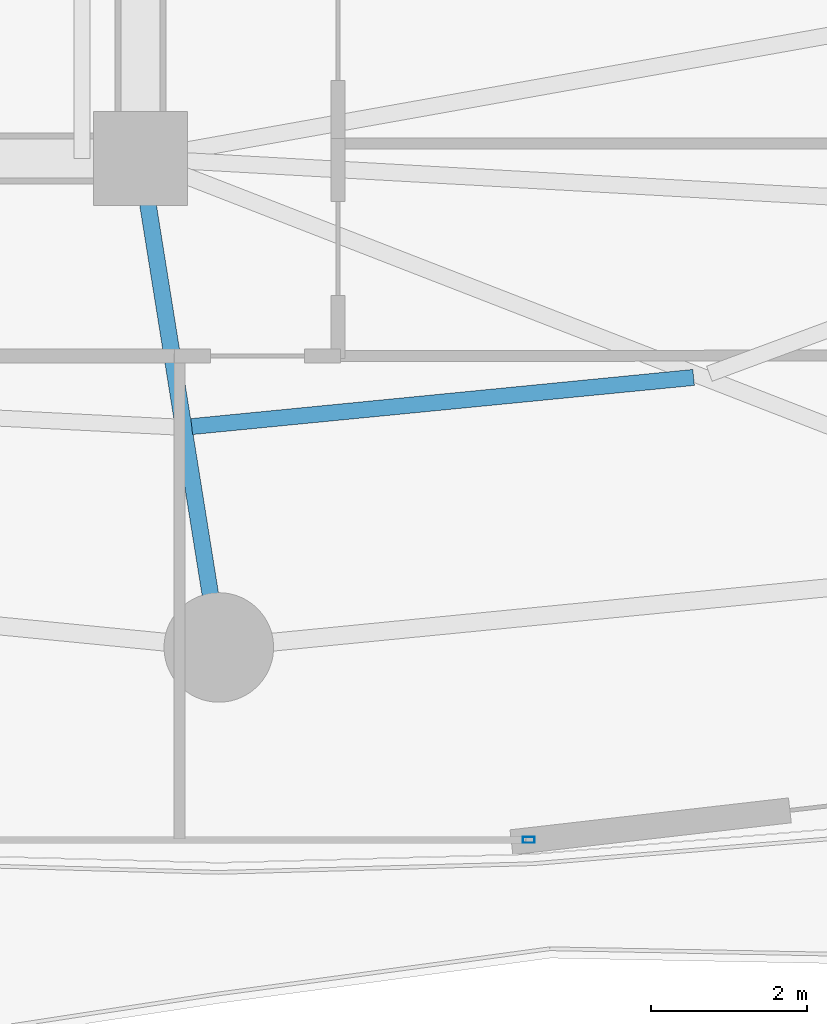
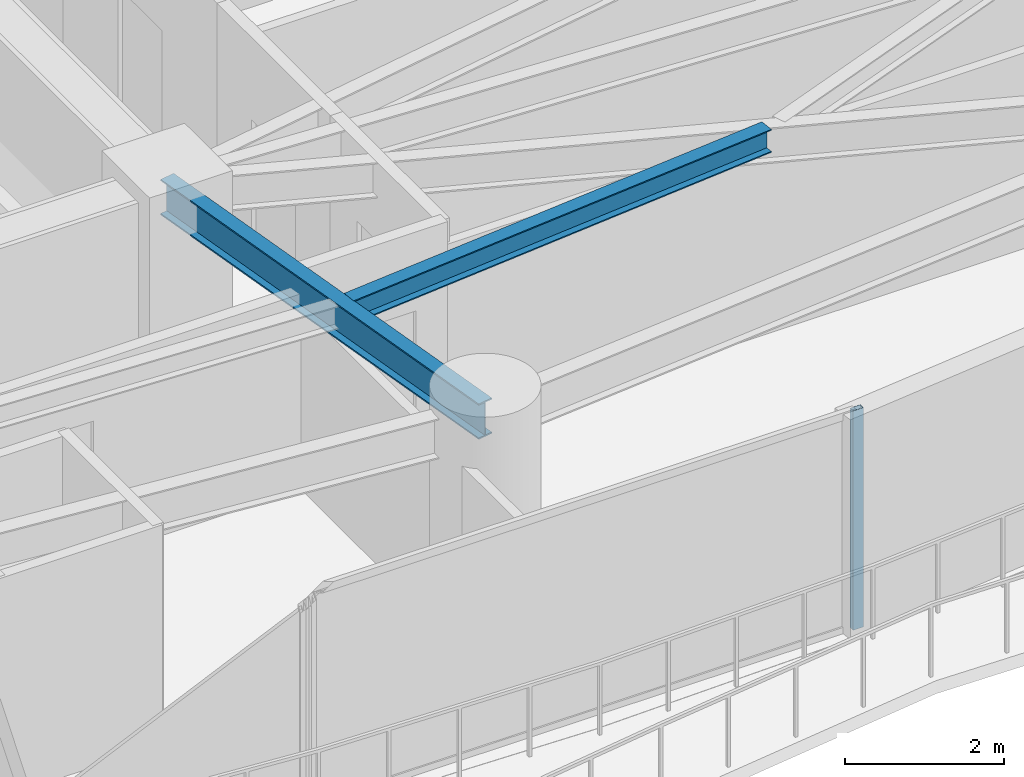
# One storey, part 10 of 32: 2 beams, 1 member, 1 element without a shape of its own.
"""IFC4 building model written with IfcOpenShell, lengths in metres."""

from ifc_helpers import new_model, si_unit, direction, frame, origin, origin_2d, place, context, subcontext, project, spatial, hollow_rectangle, i_section, extrude, material, layer, layer_set, material_profile, profile_set, type_object, element, aggregate, save


model = new_model("IFC4")

# Units and contexts
model_context = context("Model", 3, precision=1e-05, world=origin(), true_north=direction((0.0, 1.0)))
body_context = subcontext(model_context, "Body", "Model", "MODEL_VIEW")
ifc_project = project(units=[si_unit("LENGTHUNIT", "METRE"), si_unit("AREAUNIT", "SQUARE_METRE"), si_unit("VOLUMEUNIT", "CUBIC_METRE"), si_unit("PLANEANGLEUNIT", "RADIAN"), si_unit("MASSUNIT", "GRAM", prefix="KILO")], contexts=[model_context])

# Site, building, storey
site_placement = place(None, origin())
site = spatial("IfcSite", under=ifc_project, at=site_placement, CompositionType="ELEMENT")
building_placement = place(site_placement, origin())
building = spatial("IfcBuilding", under=site, at=building_placement, Name="Kazevale Care Tower and Concert Hall", CompositionType="ELEMENT")
storey_placement = place(building_placement, frame((0.0, 0.0, 42.0)))
storey = spatial("IfcBuildingStorey", under=building, at=storey_placement, Name="L10", CompositionType="ELEMENT", Elevation=42.0)

# Curtain wall, member
ifc_material_1 = material(Name="Aluminium 6063-T6 and Low-E Glass", Category="aluminium")
ifc_layer = layer(ifc_material_1, 0.179931640625)
ifc_layer_set = layer_set([ifc_layer], Name="Aluminium 6063-T6 and Low-E Glass")
curtain_wall_type = type_object("IfcCurtainWallType", Name="Sheltered Concave Balcony Curtain Wall CW-5", PredefinedType="NOTDEFINED", material=ifc_layer_set)
curtain_wall_placement = place(storey_placement, origin())
curtain_wall = element("IfcCurtainWall", 1, at=curtain_wall_placement, inside=storey, type_object=curtain_wall_type, Name="cw:L10:f06", PredefinedType="NOTDEFINED")
ifc_material_2 = material(Name="Aluminium 6063-T6", Category="aluminium")
ifc_material_profile_1 = material_profile(ifc_material_2, hollow_rectangle(XDim=0.074951171875, YDim=0.14990234375, WallThickness=0.00390625, at=origin_2d()), Name="ALU75x150x4")
ifc_profile_set_1 = profile_set([ifc_material_profile_1], Name="Aluminium 6063-T6")
member_type = type_object("IfcMemberType", Name="CW-5 Mullion ALU75x150x4", PredefinedType="MULLION", material=ifc_profile_set_1)
member_placement = place(storey_placement, frame((48.96044921875, 14.889892578125, 0.0), z_axis=(0.0, 0.0, 1.0), x_axis=(0.0, -1.0, 0.0)))
member = element("IfcMember", 2, at=member_placement, type_object=member_type, Name="CW-5 mullion 1", PredefinedType="MULLION", context=body_context, shape_type="SweptSolid", body=[
    extrude(hollow_rectangle(XDim=0.074951171875, YDim=0.14990234375, WallThickness=0.00390625, at=origin_2d()), origin(), (0.0, 0.0, 1.0), 3.360107421875),
])
aggregate(curtain_wall, [member])

# Beams
ifc_material_3 = material(Name="Steel ASTM A572 Gr 50", Category="steel")
ifc_material_profile_2 = material_profile(ifc_material_3, i_section(OverallWidth=0.2119140625, OverallDepth=0.5439453125, WebThickness=0.01318359375, FlangeThickness=0.021240234375, at=origin_2d()), Name="W530x123")
ifc_profile_set_2 = profile_set([ifc_material_profile_2], Name="Steel ASTM A572 Gr 50")
beam_type_1 = type_object("IfcBeamType", Name="Radial Floor Girder W530x123", PredefinedType="BEAM", material=ifc_profile_set_2)
beam_1_placement = place(storey_placement, frame((44.0, 23.60009765625, 3.087890625), z_axis=(0.157990501107, -0.987440631917, 0.0), x_axis=(0.987440631917, 0.157990501107, 0.0)))
element("IfcBeam", 3, at=beam_1_placement, inside=storey, type_object=beam_type_1, Name="beam:L10:rad:13", PredefinedType="BEAM", context=body_context, shape_type="SweptSolid", body=[
    extrude(i_section(OverallWidth=0.2119140625, OverallDepth=0.5439453125, WebThickness=0.01318359375, FlangeThickness=0.021240234375, at=origin_2d()), origin(), (0.0, 0.0, 1.0), 6.32958984375),
])
ifc_material_profile_3 = material_profile(ifc_material_3, i_section(OverallWidth=0.205078125, OverallDepth=0.35400390625, WebThickness=0.009521484375, FlangeThickness=0.016845703125, at=origin_2d()), Name="W360x79")
ifc_profile_set_3 = profile_set([ifc_material_profile_3], Name="Steel ASTM A572 Gr 50")
beam_type_2 = type_object("IfcBeamType", Name="Secondary Floor Joist W360x79", PredefinedType="JOIST", material=ifc_profile_set_3)
beam_2_placement = place(storey_placement, frame((44.654052734375, 20.173095703125, 3.18310546875), z_axis=(0.995242075791, 0.097433108212, 0.0), x_axis=(-0.097433108212, 0.995242075791, 0.0)))
element("IfcBeam", 4, at=beam_2_placement, inside=storey, type_object=beam_type_2, Name="beam:L10:joist:13", PredefinedType="JOIST", context=body_context, shape_type="SweptSolid", body=[
    extrude(i_section(OverallWidth=0.205078125, OverallDepth=0.35400390625, WebThickness=0.009521484375, FlangeThickness=0.016845703125, at=origin_2d()), origin(), (0.0, 0.0, 1.0), 6.44482421875),
])

save(model, "model.ifc")
